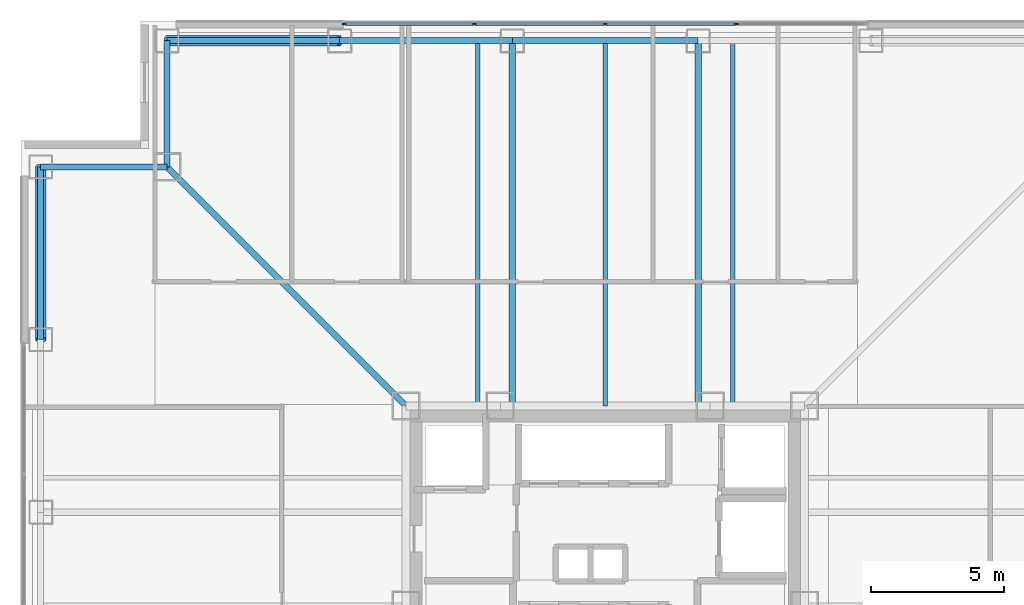
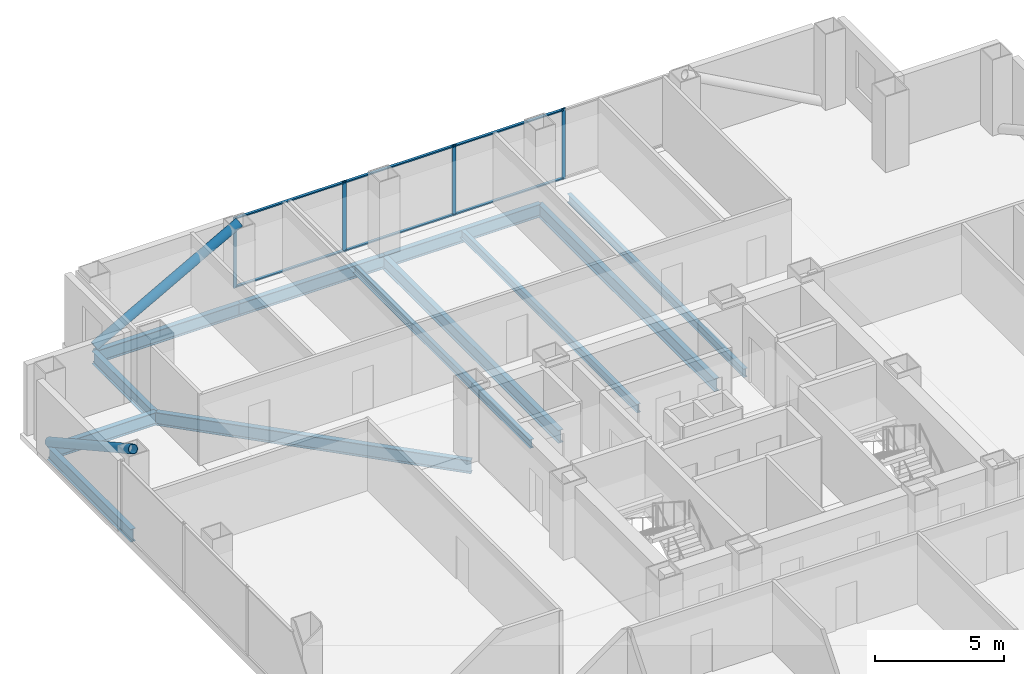
# One storey, part 6 of 13: 12 beams, 12 members, 1 element without a shape of its own.
"""IFC4 building model written with IfcOpenShell, lengths in metres."""

import ifcopenshell
import ifcopenshell.guid

model = None  # the IFC model being written
_history = None  # IfcOwnerHistory: only IFC2X3 demands one
_inside = {}  # id of a spatial element -> (the spatial element, [elements in it])
_under = {}  # id of a project, library or spatial element -> (it, [spatial elements below it])
_declared = {}  # id of a project -> (the project, [libraries it declares])
_typed = {}  # id of a type object -> (the type object, [elements of that type])
_made_of = {}  # id of a material, layer set ... -> (it, [elements and type objects made of it])


def new_model(schema):
    """Start an empty IFC model of exactly this schema.

    Asked for "IFC4X3", IfcOpenShell would pick the latest addendum, in which some entities
    have other attributes; the version numbers below select the first issue.
    IFC2X3 requires an IfcOwnerHistory on every rooted entity: one is made here for all.
    """
    global model, _history
    if schema == "IFC4X3":
        model = ifcopenshell.file(schema_version=(4, 3, 0, 0))
    else:
        model = ifcopenshell.file(schema=schema)
    _inside.clear()
    _under.clear()
    _declared.clear()
    _typed.clear()
    _made_of.clear()
    _history = None
    if model.schema == "IFC2X3":
        org = make("IfcOrganization", Name="unknown")
        user = make(
            "IfcPersonAndOrganization",
            ThePerson=make("IfcPerson", FamilyName="unknown"),
            TheOrganization=org,
        )
        app = make(
            "IfcApplication",
            ApplicationDeveloper=org,
            Version="unknown",
            ApplicationFullName="unknown",
            ApplicationIdentifier="unknown",
        )
        _history = make(
            "IfcOwnerHistory",
            OwningUser=user,
            OwningApplication=app,
            ChangeAction="ADDED",
            CreationDate=0,
        )
    return model


def make(cls, **values):
    """One entity of the class cls with the attributes given. An attribute that is None is left unset."""
    return model.create_entity(
        cls, **{name: value for name, value in values.items() if value is not None}
    )


def rooted(cls, **values):
    """An entity with a GlobalId (a new one), such as an element, a storey or a relation."""
    return make(cls, GlobalId=ifcopenshell.guid.new(), OwnerHistory=_history, **values)


def si_unit(unit_type, name, prefix=None):
    """IfcSIUnit, for example si_unit("LENGTHUNIT", "METRE", prefix="MILLI")."""
    return make("IfcSIUnit", UnitType=unit_type, Prefix=prefix, Name=name)


def assignment(units):
    """IfcUnitAssignment: the units of a project."""
    return None if units is None else make("IfcUnitAssignment", Units=units)


def point(xyz):
    """IfcCartesianPoint."""
    return None if xyz is None else make("IfcCartesianPoint", Coordinates=xyz)


def direction(xyz):
    """IfcDirection."""
    return None if xyz is None else make("IfcDirection", DirectionRatios=xyz)


def frame(location, z_axis=None, x_axis=None):
    """IfcAxis2Placement3D, a coordinate frame: its origin and axes. An axis left out is left unset."""
    return make(
        "IfcAxis2Placement3D",
        Location=point(location),
        Axis=direction(z_axis),
        RefDirection=direction(x_axis),
    )


def frame_2d(location, x_axis=None):
    """IfcAxis2Placement2D, a coordinate frame in the plane: its origin and x axis."""
    return make(
        "IfcAxis2Placement2D", Location=point(location), RefDirection=direction(x_axis)
    )


def origin():
    """The frame at (0, 0, 0) with its axes left unset."""
    return frame((0.0, 0.0, 0.0))


def origin_2d():
    """The frame at (0, 0) in the plane with its x axis left unset."""
    return frame_2d((0.0, 0.0))


def place(relative_to, where):
    """IfcLocalPlacement: puts the frame where relative to a parent placement (None: the world)."""
    return make(
        "IfcLocalPlacement", PlacementRelTo=relative_to, RelativePlacement=where
    )


def context(
    kind, dimensions, precision=None, world=None, true_north=None, identifier=None
):
    """IfcGeometricRepresentationContext, for example the 3D "Model" context."""
    return make(
        "IfcGeometricRepresentationContext",
        ContextIdentifier=identifier,
        ContextType=kind,
        CoordinateSpaceDimension=dimensions,
        Precision=precision,
        WorldCoordinateSystem=world,
        TrueNorth=true_north,
    )


def subcontext(parent, identifier, kind, view, scale=None):
    """IfcGeometricRepresentationSubContext, for example "Body" below "Model"."""
    return make(
        "IfcGeometricRepresentationSubContext",
        ContextIdentifier=identifier,
        ContextType=kind,
        ParentContext=parent,
        TargetScale=scale,
        TargetView=view,
    )


def project(units=None, contexts=None):
    """IfcProject with its units and contexts."""
    return rooted(
        "IfcProject",
        Name="project",
        RepresentationContexts=contexts,
        UnitsInContext=assignment(units),
    )


def spatial(cls, under=None, at=None, **own):
    """A site, building, storey or space (cls), placed at a placement, below another one or the project."""
    s = rooted(cls, ObjectPlacement=at, **own)
    if under is not None:
        _under.setdefault(under.id(), (under, []))[1].append(s)
    return s


def profile(cls, at=None, kind="AREA", **sizes):
    """A parametric profile (cls). Its sizes go by their IFC names, for example OverallWidth=200.0."""
    return make(cls, ProfileType=kind, Position=at, **sizes)


def rectangle(**sizes):
    """IfcRectangleProfileDef."""
    return profile("IfcRectangleProfileDef", **sizes)


def hollow_circle(**sizes):
    """IfcCircleHollowProfileDef."""
    return profile("IfcCircleHollowProfileDef", **sizes)


def i_section(**sizes):
    """IfcIShapeProfileDef."""
    return profile("IfcIShapeProfileDef", **sizes)


def extrude(swept, where, along, depth):
    """IfcExtrudedAreaSolid: the profile swept, set in the frame where, extruded along a direction by depth."""
    return make(
        "IfcExtrudedAreaSolid",
        SweptArea=swept,
        Position=where,
        ExtrudedDirection=direction(along),
        Depth=depth,
    )


def shape(context_of_items, identifier, shape_type, items):
    """IfcShapeRepresentation: the items that make up one representation, for example the "Body"."""
    return make(
        "IfcShapeRepresentation",
        ContextOfItems=context_of_items,
        RepresentationIdentifier=identifier,
        RepresentationType=shape_type,
        Items=items,
    )


def material(Name=None, Category=None):
    """IfcMaterial."""
    return make("IfcMaterial", Name=Name, Category=Category)


def layer(
    of_material, thickness, ventilated=None, Name=None, Category=None, Priority=None
):
    """IfcMaterialLayer: one layer of a wall or slab, of a material (None: an air gap)."""
    return make(
        "IfcMaterialLayer",
        Material=of_material,
        LayerThickness=thickness,
        IsVentilated=ventilated,
        Name=Name,
        Category=Category,
        Priority=Priority,
    )


def layer_set(layers, Name=None):
    """IfcMaterialLayerSet."""
    return make("IfcMaterialLayerSet", MaterialLayers=layers, LayerSetName=Name)


def material_profile(
    of_material, cross_section, Name=None, Category=None, Priority=None
):
    """IfcMaterialProfile: a cross section and its material."""
    return make(
        "IfcMaterialProfile",
        Name=Name,
        Material=of_material,
        Profile=cross_section,
        Priority=Priority,
        Category=Category,
    )


def profile_set(profiles, Name=None, composite=None):
    """IfcMaterialProfileSet."""
    return make(
        "IfcMaterialProfileSet",
        Name=Name,
        MaterialProfiles=profiles,
        CompositeProfile=composite,
    )


def made_of(thing, what):
    """Note that an element or type object is made of a material, layer set ...; save() writes the relation."""
    if what is not None:
        _made_of.setdefault(what.id(), (what, []))[1].append(thing)
    return thing


def type_object(cls, material=None, **own):
    """A type object (cls), such as IfcWallType, which elements share."""
    return made_of(rooted(cls, **own), material)


def element(
    cls,
    number,
    at=None,
    inside=None,
    cuts=None,
    type_object=None,
    material=None,
    context=None,
    identifier="Body",
    shape_type=None,
    held_by="IfcProductDefinitionShape",
    body=None,
    shapes=None,
    **own,
):
    """One element of the class cls, such as IfcWall. Its Tag is "e" and its number.

    at: its placement. inside: the storey or other place that contains it. cuts: it is an
    opening in that element (IfcRelVoidsElement). A single representation is given by context,
    identifier, shape_type and body (its items); several are given by shapes. held_by: the class
    of the entity that holds the representations. save() writes the other relations.
    """
    e = rooted(cls, Tag="e%d" % number, ObjectPlacement=at, **own)
    if body is not None:
        shapes = [shape(context, identifier, shape_type, body)]
    if shapes is not None:
        e.Representation = make(held_by, Representations=shapes)
    if inside is not None:
        _inside.setdefault(inside.id(), (inside, []))[1].append(e)
    if cuts is not None:
        rooted(
            "IfcRelVoidsElement", RelatingBuildingElement=cuts, RelatedOpeningElement=e
        )
    if type_object is not None:
        _typed.setdefault(type_object.id(), (type_object, []))[1].append(e)
    return made_of(e, material)


def aggregate(whole, parts):
    """IfcRelAggregates: a whole, such as a stair, and the parts it consists of."""
    return rooted("IfcRelAggregates", RelatingObject=whole, RelatedObjects=parts)


def save(model, path):
    """Write the relations noted so far, then the file.

    IfcRelAggregates (storeys below a building ...), IfcRelContainedInSpatialStructure (elements
    in a storey), IfcRelDefinesByType, IfcRelAssociatesMaterial and IfcRelDeclares: one each for
    every whole, place, type object, material and project.
    """
    for whole, parts in _under.values():
        aggregate(whole, parts)
    for where, things in _inside.values():
        rooted(
            "IfcRelContainedInSpatialStructure",
            RelatedElements=things,
            RelatingStructure=where,
        )
    for kind, things in _typed.values():
        rooted("IfcRelDefinesByType", RelatedObjects=things, RelatingType=kind)
    for what, things in _made_of.values():
        rooted("IfcRelAssociatesMaterial", RelatedObjects=things, RelatingMaterial=what)
    for by, libraries in _declared.values():
        rooted("IfcRelDeclares", RelatingContext=by, RelatedDefinitions=libraries)
    model.write(path)


model = new_model("IFC4")

# Units and contexts
model_context = context("Model", 3, precision=1e-05, world=origin(), true_north=direction((0.0, 1.0)))
body_context = subcontext(model_context, "Body", "Model", "MODEL_VIEW")
ifc_project = project(units=[si_unit("LENGTHUNIT", "METRE"), si_unit("AREAUNIT", "SQUARE_METRE"), si_unit("VOLUMEUNIT", "CUBIC_METRE"), si_unit("PLANEANGLEUNIT", "RADIAN"), si_unit("MASSUNIT", "GRAM", prefix="KILO")], contexts=[model_context])

# Site, building, storey
site_placement = place(None, origin())
site = spatial("IfcSite", under=ifc_project, at=site_placement, CompositionType="ELEMENT")
building_placement = place(site_placement, origin())
building = spatial("IfcBuilding", under=site, at=building_placement, Name="Trevonay Congress Spire", CompositionType="ELEMENT")
storey_placement = place(building_placement, frame((0.0, 0.0, 112.0)))
storey = spatial("IfcBuildingStorey", under=building, at=storey_placement, Name="L28", CompositionType="ELEMENT", Elevation=112.0)

# Beams
ifc_material_1 = material(Name="Steel ASTM A572 Grade 50", Category="steel")
ifc_material_profile_1 = material_profile(ifc_material_1, i_section(OverallWidth=0.22998046875, OverallDepth=0.616943359375, WebThickness=0.01318359375, FlangeThickness=0.022216796875, FilletRadius=0.01611328125, at=origin_2d()), Name="W610x140")
ifc_profile_set_1 = profile_set([ifc_material_profile_1], Name="Steel ASTM A572 Grade 50")
beam_type_1 = type_object("IfcBeamType", Name="BM-GIRD-W610X140", PredefinedType="BEAM", material=ifc_profile_set_1)
beam_1_placement = place(storey_placement, frame((-7.5, 7.5, -0.548583984375), z_axis=(-0.707106781187, 0.707106781187, 0.0), x_axis=(-0.707106781187, -0.707106781187, 0.0)))
element("IfcBeam", 1, at=beam_1_placement, inside=storey, type_object=beam_type_1, Name="L28 structural beam BM-L28-CDNW", PredefinedType="BEAM", context=body_context, shape_type="SweptSolid", body=[
    extrude(i_section(OverallWidth=0.22998046875, OverallDepth=0.616943359375, WebThickness=0.01318359375, FlangeThickness=0.022216796875, FilletRadius=0.01611328125, at=origin_2d()), origin(), (0.0, 0.0, 1.0), 12.72802734375),
])
for number, where, z_axis, x_axis, name in (
    (2, (-3.5, 7.5, -0.548583984375), (0.0, 1.0, 0.0), (-1.0, 0.0, 0.0), "L28 structural beam BM-L28-GN-M"),
    (3, (3.5, 7.5, -0.548583984375), (0.0, 1.0, 0.0), (-1.0, 0.0, 0.0), "L28 structural beam BM-L28-GN-P"),
):
    element("IfcBeam", number, at=place(storey_placement, frame(where, z_axis=z_axis, x_axis=x_axis)), inside=storey, type_object=beam_type_1, Name=name, PredefinedType="BEAM", context=body_context, shape_type="SweptSolid", body=[
        extrude(i_section(OverallWidth=0.22998046875, OverallDepth=0.616943359375, WebThickness=0.01318359375, FlangeThickness=0.022216796875, FilletRadius=0.01611328125, at=origin_2d()), origin(), (0.0, 0.0, 1.0), 13.75),
    ])
ifc_material_profile_2 = material_profile(ifc_material_1, i_section(OverallWidth=0.22802734375, OverallDepth=0.60791015625, WebThickness=0.01123046875, FlangeThickness=0.017333984375, FilletRadius=0.01611328125, at=origin_2d()), Name="W610x113")
ifc_profile_set_2 = profile_set([ifc_material_profile_2], Name="Steel ASTM A572 Grade 50")
beam_type_2 = type_object("IfcBeamType", Name="BM-RING-W610X113", PredefinedType="BEAM", material=ifc_profile_set_2)
for number, where, z_axis, x_axis, name in (
    (4, (-16.5, 21.25, -0.5439453125), (1.0, 0.0, 0.0), (0.0, 1.0, 0.0), "L28 structural beam BM-L28-PN1"),
    (5, (-10.0, 21.25, -0.5439453125), (1.0, 0.0, 0.0), (0.0, 1.0, 0.0), "L28 structural beam BM-L28-PN2"),
):
    element("IfcBeam", number, at=place(storey_placement, frame(where, z_axis=z_axis, x_axis=x_axis)), inside=storey, type_object=beam_type_2, Name=name, PredefinedType="BEAM", context=body_context, shape_type="SweptSolid", body=[
        extrude(i_section(OverallWidth=0.22802734375, OverallDepth=0.60791015625, WebThickness=0.01123046875, FlangeThickness=0.017333984375, FilletRadius=0.01611328125, at=origin_2d()), origin(), (0.0, 0.0, 1.0), 6.5),
    ])
beam_2_placement = place(storey_placement, frame((-3.5, 21.25, -0.5439453125), z_axis=(1.0, 0.0, 0.0), x_axis=(0.0, 1.0, 0.0)))
element("IfcBeam", 6, at=beam_2_placement, inside=storey, type_object=beam_type_2, Name="L28 structural beam BM-L28-PN3", PredefinedType="BEAM", context=body_context, shape_type="SweptSolid", body=[
    extrude(i_section(OverallWidth=0.22802734375, OverallDepth=0.60791015625, WebThickness=0.01123046875, FlangeThickness=0.017333984375, FilletRadius=0.01611328125, at=origin_2d()), origin(), (0.0, 0.0, 1.0), 7.0),
])
beam_3_placement = place(storey_placement, frame((-21.25, 10.0, -0.5439453125), z_axis=(0.0, 1.0, 0.0), x_axis=(-1.0, 0.0, 0.0)))
element("IfcBeam", 7, at=beam_3_placement, inside=storey, type_object=beam_type_2, Name="L28 structural beam BM-L28-PW5", PredefinedType="BEAM", context=body_context, shape_type="SweptSolid", body=[
    extrude(i_section(OverallWidth=0.22802734375, OverallDepth=0.60791015625, WebThickness=0.01123046875, FlangeThickness=0.017333984375, FilletRadius=0.01611328125, at=origin_2d()), origin(), (0.0, 0.0, 1.0), 6.5),
])
for number, where, z_axis, x_axis, name in (
    (8, (-16.5, 21.25, -0.5439453125), (0.0, -1.0, 0.0), (1.0, 0.0, 0.0), "L28 structural beam BM-L28-N1NW"),
    (9, (-21.25, 16.5, -0.5439453125), (1.0, 0.0, 0.0), (0.0, 1.0, 0.0), "L28 structural beam BM-L28-N2NW"),
):
    element("IfcBeam", number, at=place(storey_placement, frame(where, z_axis=z_axis, x_axis=x_axis)), inside=storey, type_object=beam_type_2, Name=name, PredefinedType="BEAM", context=body_context, shape_type="SweptSolid", body=[
        extrude(i_section(OverallWidth=0.22802734375, OverallDepth=0.60791015625, WebThickness=0.01123046875, FlangeThickness=0.017333984375, FilletRadius=0.01611328125, at=origin_2d()), origin(), (0.0, 0.0, 1.0), 4.75),
    ])

# Curtain wall, members
ifc_material_2 = material(Name="Pale Anodised Aluminium EN AW-6063-T6", Category="aluminium")
ifc_layer = layer(ifc_material_2, 0.175048828125, Name="Pale Anodised Aluminium EN AW-6063-T6")
ifc_layer_set = layer_set([ifc_layer], Name="Pale Anodised Aluminium EN AW-6063-T6")
curtain_wall_type = type_object("IfcCurtainWallType", Name="CW-SYS03-CONGRESS-PALE-METAL", PredefinedType="NOTDEFINED", material=ifc_layer_set)
curtain_wall_placement = place(storey_placement, origin())
curtain_wall = element("IfcCurtainWall", 10, at=curtain_wall_placement, inside=storey, type_object=curtain_wall_type, Name="L28 N unitised curtain wall", PredefinedType="NOTDEFINED")
ifc_material_profile_3 = material_profile(ifc_material_2, rectangle(XDim=0.06005859375, YDim=0.159912109375, at=origin_2d()), Name="CW-MULLION-160-ALUMINIUM")
ifc_profile_set_3 = profile_set([ifc_material_profile_3], Name="Pale Anodised Aluminium EN AW-6063-T6")
member_type_1 = type_object("IfcMemberType", Name="CW-MULLION-160-ALUMINIUM", PredefinedType="MULLION", material=ifc_profile_set_3)
member_1_placement = place(storey_placement, frame((-9.820068359375, 21.8798828125, 0.0), z_axis=(0.0, 0.0, 1.0), x_axis=(0.0, 1.0, 0.0)))
member_1 = element("IfcMember", 11, at=member_1_placement, type_object=member_type_1, Name="CW03 mullion 1", PredefinedType="MULLION", context=body_context, shape_type="SweptSolid", body=[
    extrude(rectangle(XDim=0.06005859375, YDim=0.159912109375, at=origin_2d()), origin(), (0.0, 0.0, 1.0), 3.360107421875),
])
member_2_placement = place(storey_placement, frame((-4.925048828125, 21.8798828125, 0.0), z_axis=(0.0, 0.0, 1.0), x_axis=(0.0, 1.0, 0.0)))
member_2 = element("IfcMember", 12, at=member_2_placement, type_object=member_type_1, Name="CW03 mullion 2", PredefinedType="MULLION", context=body_context, shape_type="SweptSolid", body=[
    extrude(rectangle(XDim=0.06005859375, YDim=0.159912109375, at=origin_2d()), origin(), (0.0, 0.0, 1.0), 3.360107421875),
])
member_3_placement = place(storey_placement, frame((0.0, 21.8798828125, 0.0), z_axis=(0.0, 0.0, 1.0), x_axis=(0.0, 1.0, 0.0)))
member_3 = element("IfcMember", 13, at=member_3_placement, type_object=member_type_1, Name="CW03 mullion 3", PredefinedType="MULLION", context=body_context, shape_type="SweptSolid", body=[
    extrude(rectangle(XDim=0.06005859375, YDim=0.159912109375, at=origin_2d()), origin(), (0.0, 0.0, 1.0), 3.360107421875),
])
member_4_placement = place(storey_placement, frame((4.925048828125, 21.8798828125, 0.0), z_axis=(0.0, 0.0, 1.0), x_axis=(0.0, 1.0, 0.0)))
member_4 = element("IfcMember", 14, at=member_4_placement, type_object=member_type_1, Name="CW03 mullion 4", PredefinedType="MULLION", context=body_context, shape_type="SweptSolid", body=[
    extrude(rectangle(XDim=0.06005859375, YDim=0.159912109375, at=origin_2d()), origin(), (0.0, 0.0, 1.0), 3.360107421875),
])
ifc_material_profile_4 = material_profile(ifc_material_2, rectangle(XDim=0.1201171875, YDim=0.06005859375, at=origin_2d()), Name="CW-TRANSOM-120-ALUMINIUM")
ifc_profile_set_4 = profile_set([ifc_material_profile_4], Name="Pale Anodised Aluminium EN AW-6063-T6")
member_type_2 = type_object("IfcMemberType", Name="CW-TRANSOM-120-ALUMINIUM", PredefinedType="USERDEFINED", material=ifc_profile_set_4)
member_5_placement = place(storey_placement, frame((-9.7900390625, 21.8798828125, 0.06005859375), z_axis=(1.0, 0.0, 0.0), x_axis=(0.0, 1.0, 0.0)))
member_5 = element("IfcMember", 15, at=member_5_placement, type_object=member_type_2, Name="CW03 transom 1.1", ObjectType="TRANSOM", PredefinedType="USERDEFINED", context=body_context, shape_type="SweptSolid", body=[
    extrude(rectangle(XDim=0.1201171875, YDim=0.06005859375, at=origin_2d()), origin(), (0.0, 0.0, 1.0), 4.8349609375),
])
member_6_placement = place(storey_placement, frame((-9.7900390625, 21.8798828125, 3.300048828125), z_axis=(1.0, 0.0, 0.0), x_axis=(0.0, 1.0, 0.0)))
member_6 = element("IfcMember", 16, at=member_6_placement, type_object=member_type_2, Name="CW03 transom 1.2", ObjectType="TRANSOM", PredefinedType="USERDEFINED", context=body_context, shape_type="SweptSolid", body=[
    extrude(rectangle(XDim=0.1201171875, YDim=0.06005859375, at=origin_2d()), origin(), (0.0, 0.0, 1.0), 4.8349609375),
])
member_7_placement = place(storey_placement, frame((-4.89501953125, 21.8798828125, 0.06005859375), z_axis=(1.0, 0.0, 0.0), x_axis=(0.0, 1.0, 0.0)))
member_7 = element("IfcMember", 17, at=member_7_placement, type_object=member_type_2, Name="CW03 transom 2.1", ObjectType="TRANSOM", PredefinedType="USERDEFINED", context=body_context, shape_type="SweptSolid", body=[
    extrude(rectangle(XDim=0.1201171875, YDim=0.06005859375, at=origin_2d()), origin(), (0.0, 0.0, 1.0), 4.864990234375),
])
member_8_placement = place(storey_placement, frame((-4.89501953125, 21.8798828125, 3.300048828125), z_axis=(1.0, 0.0, 0.0), x_axis=(0.0, 1.0, 0.0)))
member_8 = element("IfcMember", 18, at=member_8_placement, type_object=member_type_2, Name="CW03 transom 2.2", ObjectType="TRANSOM", PredefinedType="USERDEFINED", context=body_context, shape_type="SweptSolid", body=[
    extrude(rectangle(XDim=0.1201171875, YDim=0.06005859375, at=origin_2d()), origin(), (0.0, 0.0, 1.0), 4.864990234375),
])
member_9_placement = place(storey_placement, frame((0.030029296875, 21.8798828125, 0.06005859375), z_axis=(1.0, 0.0, 0.0), x_axis=(0.0, 1.0, 0.0)))
member_9 = element("IfcMember", 19, at=member_9_placement, type_object=member_type_2, Name="CW03 transom 3.1", ObjectType="TRANSOM", PredefinedType="USERDEFINED", context=body_context, shape_type="SweptSolid", body=[
    extrude(rectangle(XDim=0.1201171875, YDim=0.06005859375, at=origin_2d()), origin(), (0.0, 0.0, 1.0), 4.864990234375),
])
member_10_placement = place(storey_placement, frame((0.030029296875, 21.8798828125, 3.300048828125), z_axis=(1.0, 0.0, 0.0), x_axis=(0.0, 1.0, 0.0)))
member_10 = element("IfcMember", 20, at=member_10_placement, type_object=member_type_2, Name="CW03 transom 3.2", ObjectType="TRANSOM", PredefinedType="USERDEFINED", context=body_context, shape_type="SweptSolid", body=[
    extrude(rectangle(XDim=0.1201171875, YDim=0.06005859375, at=origin_2d()), origin(), (0.0, 0.0, 1.0), 4.864990234375),
])
aggregate(curtain_wall, [member_1, member_2, member_3, member_4, member_5, member_6, member_7, member_8, member_9, member_10])

# Beams
ifc_material_profile_5 = material_profile(ifc_material_1, i_section(OverallWidth=0.177978515625, OverallDepth=0.406982421875, WebThickness=0.0078125, FlangeThickness=0.0126953125, FilletRadius=0.012939453125, at=origin_2d()), Name="W410x60")
ifc_profile_set_5 = profile_set([ifc_material_profile_5], Name="Steel ASTM A572 Grade 50")
beam_type_3 = type_object("IfcBeamType", Name="JS-COMP-W410X60", PredefinedType="JOIST", material=ifc_profile_set_5)
for number, where, z_axis, x_axis, name in (
    (21, (-4.800048828125, 7.5, -0.443603515625), (0.0, 1.0, 0.0), (-1.0, 0.0, 0.0), "L28 structural beam JS-L28-NS-N1"),
    (22, (0.0, 7.5, -0.443603515625), (0.0, 1.0, 0.0), (-1.0, 0.0, 0.0), "L28 structural beam JS-L28-NS-N2"),
    (23, (4.800048828125, 7.5, -0.443603515625), (0.0, 1.0, 0.0), (-1.0, 0.0, 0.0), "L28 structural beam JS-L28-NS-N3"),
):
    element("IfcBeam", number, at=place(storey_placement, frame(where, z_axis=z_axis, x_axis=x_axis)), inside=storey, type_object=beam_type_3, Name=name, PredefinedType="JOIST", context=body_context, shape_type="SweptSolid", body=[
        extrude(i_section(OverallWidth=0.177978515625, OverallDepth=0.406982421875, WebThickness=0.0078125, FlangeThickness=0.0126953125, FilletRadius=0.012939453125, at=origin_2d()), origin(), (0.0, 0.0, 1.0), 13.75),
    ])

# Members
ifc_material_3 = material(Name="Steel ASTM A500 Grade C", Category="steel")
ifc_material_profile_6 = material_profile(ifc_material_3, hollow_circle(Radius=0.203125, WallThickness=0.02001953125, at=origin_2d()), Name="CHS 406.4x20")
ifc_profile_set_6 = profile_set([ifc_material_profile_6], Name="Steel ASTM A500 Grade C")
member_type_3 = type_object("IfcMemberType", Name="MBR-TUBE-CHS406", PredefinedType="BRACE", material=ifc_profile_set_6)
for number, where, z_axis, x_axis, name in (
    (24, (-16.5, 21.25, -0.050048828125), (0.874785785626, 0.0, 0.484509885623), (0.0, 1.0, 0.0), "L28 perimeter braced-tube diagonal N0"),
    (25, (-21.25, 16.5, -0.050048828125), (0.0, -0.874785785626, 0.484509885623), (1.0, 0.0, 0.0), "L28 perimeter braced-tube diagonal W4"),
):
    element("IfcMember", number, at=place(storey_placement, frame(where, z_axis=z_axis, x_axis=x_axis)), inside=storey, type_object=member_type_3, Name=name, PredefinedType="BRACE", context=body_context, shape_type="SweptSolid", body=[
        extrude(hollow_circle(Radius=0.203125, WallThickness=0.02001953125, at=origin_2d()), origin(), (0.0, 0.0, 1.0), 7.430419921875),
    ])

save(model, "model.ifc")
